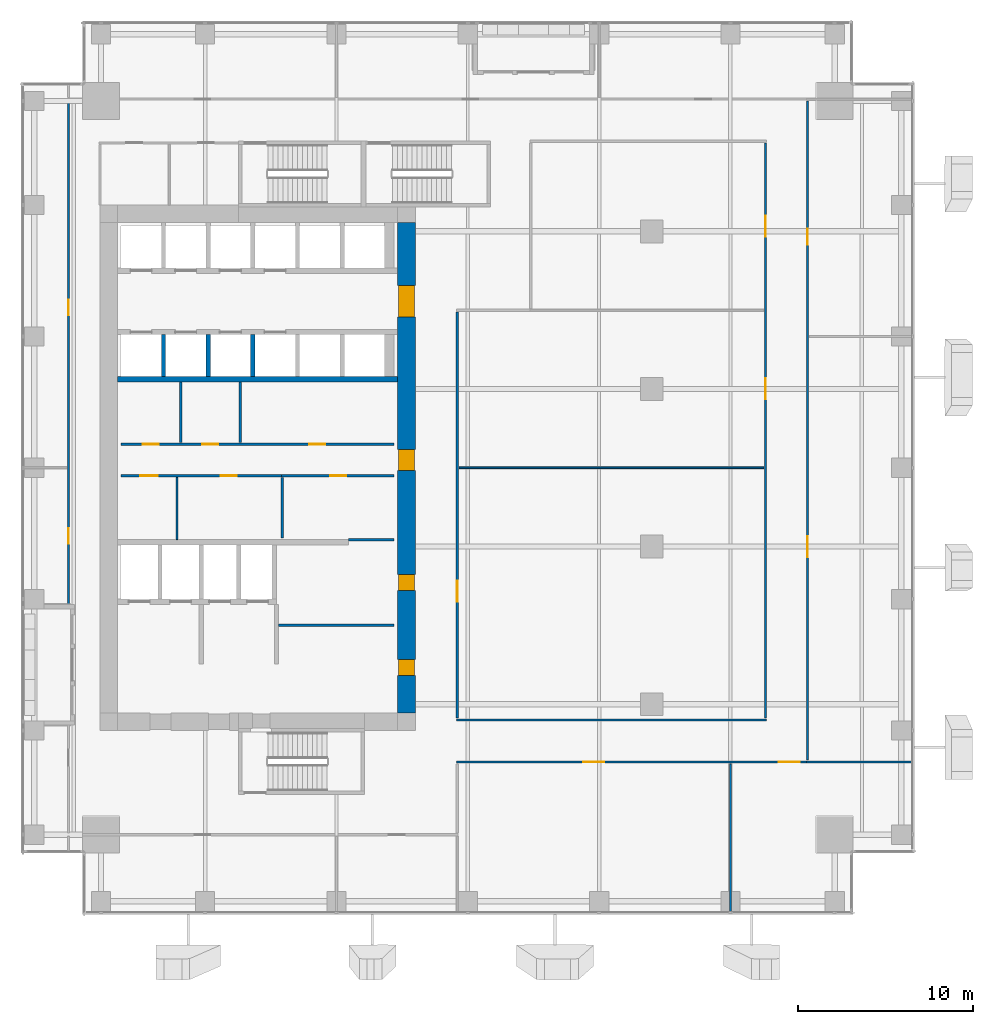
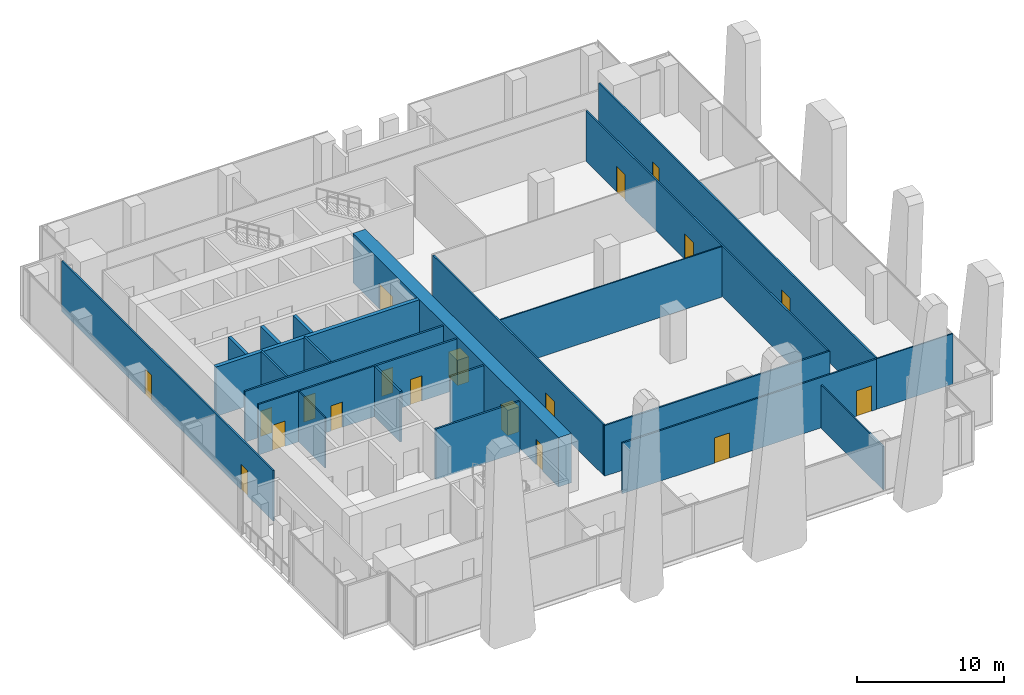
# One storey, part 29 of 35: 23 walls, 19 doors, 19 openings.
"""IFC4 building model written with IfcOpenShell, lengths in metres."""

from ifc_helpers import new_model, si_unit, direction, frame, frame_2d, origin, place, context, subcontext, project, spatial, rectangle, extrude, source, transform, mapped, material, layer, layer_set, type_object, element, fill, save


model = new_model("IFC4")

# Units and contexts
model_context = context("Model", 3, precision=1e-05, world=origin(), true_north=direction((0.0, 1.0)))
body_context = subcontext(model_context, "Body", "Model", "MODEL_VIEW")
ifc_project = project(units=[si_unit("LENGTHUNIT", "METRE"), si_unit("AREAUNIT", "SQUARE_METRE"), si_unit("VOLUMEUNIT", "CUBIC_METRE"), si_unit("PLANEANGLEUNIT", "RADIAN"), si_unit("MASSUNIT", "GRAM", prefix="KILO")], contexts=[model_context])

# Site, building, storey
site_placement = place(None, origin())
site = spatial("IfcSite", under=ifc_project, at=site_placement, CompositionType="ELEMENT")
building_placement = place(site_placement, origin())
building = spatial("IfcBuilding", under=site, at=building_placement, Name="Khomas Fold Tower", CompositionType="ELEMENT")
storey_placement = place(building_placement, frame((0.0, 0.0, 119.10009765625)))
storey = spatial("IfcBuildingStorey", under=building, at=storey_placement, Name="L25", CompositionType="ELEMENT", Elevation=119.10009765625)

# Wall, openings, doors
ifc_material_1 = material(Name="Concrete C70/85", Category="concrete")
ifc_layer_1 = layer(ifc_material_1, 1.0)
ifc_layer_set_1 = layer_set([ifc_layer_1], Name="Concrete C70/85")
wall_type_1 = type_object("IfcWallType", Name="Core wall 1000", PredefinedType="SHEAR", material=ifc_layer_set_1)
shared_shape_1 = source(origin(), body_context, "Body", "SweptSolid", [
    extrude(rectangle(XDim=28.0, YDim=1.0, at=frame_2d((14.0, 0.0))), origin(), (0.0, 0.0, 1.0), 4.099853515625),
])
wall_1_placement = place(storey_placement, frame((23.5, 13.0, 0.0), z_axis=(0.0, 0.0, 1.0), x_axis=(0.0, 1.0, 0.0)))
wall_1 = element("IfcWall", 1, at=wall_1_placement, inside=storey, type_object=wall_type_1, Name="Core wall CW-L-E-L21", PredefinedType="SHEAR", context=body_context, shape_type="MappedRepresentation", body=[
    mapped(shared_shape_1, transform((0.0, 0.0, 0.0))),
])
shared_shape_2 = source(origin(), body_context, "Body", "SweptSolid", [
    extrude(rectangle(XDim=1.800048828125, YDim=2.10009765625, at=frame_2d((0.89990234375, 1.050048828125))), frame((0.0, 0.510009765625, 0.0), z_axis=(0.0, -1.0, 0.0), x_axis=(1.0, 0.0, 0.0)), (0.0, 0.0, 1.0), 1.02001953125),
])
opening_1_placement = place(wall_1_placement, frame((22.60009765625, 0.0, 0.0)))
opening_1 = element("IfcOpeningElement", 2, at=opening_1_placement, cuts=wall_1, Name="Opening 0015", PredefinedType="OPENING", context=body_context, shape_type="MappedRepresentation", body=[
    mapped(shared_shape_2, transform((0.0, 0.0, 0.0))),
])
shared_shape_3 = source(origin(), body_context, "Body", "SweptSolid", [
    extrude(rectangle(XDim=1.199951171875, YDim=2.10009765625, at=frame_2d((0.60009765625, 1.050048828125))), frame((0.0, 0.510009765625, 0.0), z_axis=(0.0, -1.0, 0.0), x_axis=(1.0, 0.0, 0.0)), (0.0, 0.0, 1.0), 1.02001953125),
])
opening_2_placement = place(wall_1_placement, frame((13.85009765625, 0.0, 0.0)))
opening_2 = element("IfcOpeningElement", 3, at=opening_2_placement, cuts=wall_1, Name="Opening 0001", PredefinedType="OPENING", context=body_context, shape_type="MappedRepresentation", body=[
    mapped(shared_shape_3, transform((0.0, 0.0, 0.0))),
])
shared_shape_4 = source(origin(), body_context, "Body", "SweptSolid", [
    extrude(rectangle(XDim=0.89990234375, YDim=2.10009765625, at=frame_2d((0.449951171875, 1.050048828125))), frame((0.0, 0.510009765625, 0.0), z_axis=(0.0, -1.0, 0.0), x_axis=(1.0, 0.0, 0.0)), (0.0, 0.0, 1.0), 1.02001953125),
])
opening_3_placement = place(wall_1_placement, frame((2.14990234375, 0.0, 0.0)))
opening_3 = element("IfcOpeningElement", 4, at=opening_3_placement, cuts=wall_1, Name="Opening 0003", PredefinedType="OPENING", context=body_context, shape_type="MappedRepresentation", body=[
    mapped(shared_shape_4, transform((0.0, 0.0, 0.0))),
])
opening_4_placement = place(wall_1_placement, frame((7.0, 0.0, 0.0)))
opening_4 = element("IfcOpeningElement", 5, at=opening_4_placement, cuts=wall_1, Name="Opening 0003", PredefinedType="OPENING", context=body_context, shape_type="MappedRepresentation", body=[
    mapped(shared_shape_4, transform((0.0, 0.0, 0.0))),
])
ifc_material_2 = material(Name="Steel door leaf", Category="steel")
door_type_1 = type_object("IfcDoorType", Name="Lobby door 1800x2100", OperationType="DOUBLE_DOOR_SINGLE_SWING", PredefinedType="DOOR", material=ifc_material_2)
shared_shape_5 = source(origin(), body_context, "Body", "SweptSolid", [
    extrude(rectangle(XDim=1.800048828125, YDim=2.10009765625, at=frame_2d((0.89990234375, 1.050048828125))), frame((0.0, 0.449951171875, 0.0), z_axis=(0.0, -1.0, 0.0), x_axis=(1.0, 0.0, 0.0)), (0.0, 0.0, 1.0), 0.89990234375),
])
door_1_placement = place(opening_1_placement, origin())
door_1 = element("IfcDoor", 6, at=door_1_placement, inside=storey, type_object=door_type_1, Name="Lobby door", OperationType="DOUBLE_DOOR_SINGLE_SWING", OverallHeight=2.10009765625, OverallWidth=1.800048828125, PredefinedType="DOOR", context=body_context, shape_type="MappedRepresentation", body=[
    mapped(shared_shape_5, transform((0.0, 0.0, 0.0))),
])
fill(opening_1, door_1)
ifc_material_3 = material(Name="Timber door leaf", Category="wood")
door_type_2 = type_object("IfcDoorType", Name="Door 1200x2100 right-hand", OperationType="SINGLE_SWING_RIGHT", PredefinedType="DOOR", material=ifc_material_3)
shared_shape_6 = source(origin(), body_context, "Body", "SweptSolid", [
    extrude(rectangle(XDim=1.199951171875, YDim=2.10009765625, at=frame_2d((0.60009765625, 1.050048828125))), frame((0.0, 0.449951171875, 0.0), z_axis=(0.0, -1.0, 0.0), x_axis=(1.0, 0.0, 0.0)), (0.0, 0.0, 1.0), 0.89990234375),
])
door_2_placement = place(opening_2_placement, origin())
door_2 = element("IfcDoor", 7, at=door_2_placement, inside=storey, type_object=door_type_2, Name="Door", OperationType="SINGLE_SWING_RIGHT", OverallHeight=2.10009765625, OverallWidth=1.199951171875, PredefinedType="DOOR", context=body_context, shape_type="MappedRepresentation", body=[
    mapped(shared_shape_6, transform((0.0, 0.0, 0.0))),
])
fill(opening_2, door_2)
ifc_material_4 = material(Name="Steel door leaf", Category="steel")
door_type_3 = type_object("IfcDoorType", Name="Plant room door 900x2100 right-hand", OperationType="SINGLE_SWING_RIGHT", PredefinedType="DOOR", material=ifc_material_4)
shared_shape_7 = source(origin(), body_context, "Body", "SweptSolid", [
    extrude(rectangle(XDim=0.89990234375, YDim=2.10009765625, at=frame_2d((0.449951171875, 1.050048828125))), frame((0.0, 0.449951171875, 0.0), z_axis=(0.0, -1.0, 0.0), x_axis=(1.0, 0.0, 0.0)), (0.0, 0.0, 1.0), 0.89990234375),
])
door_3_placement = place(opening_3_placement, origin())
door_3 = element("IfcDoor", 8, at=door_3_placement, inside=storey, type_object=door_type_3, Name="Plant room door", OperationType="SINGLE_SWING_RIGHT", OverallHeight=2.10009765625, OverallWidth=0.89990234375, PredefinedType="DOOR", context=body_context, shape_type="MappedRepresentation", body=[
    mapped(shared_shape_7, transform((0.0, 0.0, 0.0))),
])
fill(opening_3, door_3)
door_4_placement = place(opening_4_placement, origin())
door_4 = element("IfcDoor", 9, at=door_4_placement, inside=storey, type_object=door_type_3, Name="Plant room door", OperationType="SINGLE_SWING_RIGHT", OverallHeight=2.10009765625, OverallWidth=0.89990234375, PredefinedType="DOOR", context=body_context, shape_type="MappedRepresentation", body=[
    mapped(shared_shape_7, transform((0.0, 0.0, 0.0))),
])
fill(opening_4, door_4)

# Walls
ifc_material_5 = material(Name="Concrete C50/60", Category="concrete")
ifc_layer_2 = layer(ifc_material_5, 0.300048828125)
ifc_layer_set_2 = layer_set([ifc_layer_2], Name="Concrete C50/60")
wall_type_2 = type_object("IfcWallType", Name="Shaft wall 300", PredefinedType="STANDARD", material=ifc_layer_set_2)
shared_shape_8 = source(origin(), body_context, "Body", "SweptSolid", [
    extrude(rectangle(XDim=16.0, YDim=0.300048828125, at=frame_2d((8.0, 0.0))), origin(), (0.0, 0.0, 1.0), 4.099853515625),
])
wall_2_placement = place(storey_placement, frame((7.0, 32.050048828125, 0.0), z_axis=(0.0, 0.0, 1.0), x_axis=(1.0, 0.0, 0.0)))
element("IfcWall", 10, at=wall_2_placement, inside=storey, type_object=wall_type_2, Name="Core wall SW-HRN-B", PredefinedType="STANDARD", context=body_context, shape_type="MappedRepresentation", body=[
    mapped(shared_shape_8, transform((0.0, 0.0, 0.0))),
])
ifc_material_6 = material(Name="Concrete C50/60", Category="concrete")
ifc_layer_3 = layer(ifc_material_6, 0.25)
ifc_layer_set_3 = layer_set([ifc_layer_3], Name="Concrete C50/60")
wall_type_3 = type_object("IfcWallType", Name="Shaft wall 250", PredefinedType="STANDARD", material=ifc_layer_set_3)
shared_shape_9 = source(origin(), body_context, "Body", "SweptSolid", [
    extrude(rectangle(XDim=2.400146484375, YDim=0.25, at=frame_2d((1.2001953125, 0.0))), origin(), (0.0, 0.0, 1.0), 4.099853515625),
])
for number, where, z_axis, x_axis, name in (
    (11, (9.625, 32.199951171875, 0.0), (0.0, 0.0, 1.0), (0.0, 1.0, 0.0), "Core wall SW-LRS-P1"),
    (12, (12.175048828125, 32.199951171875, 0.0), (0.0, 0.0, 1.0), (0.0, 1.0, 0.0), "Core wall SW-LRS-P2"),
    (13, (14.72509765625, 32.199951171875, 0.0), (0.0, 0.0, 1.0), (0.0, 1.0, 0.0), "Core wall SW-LRS-P3"),
):
    element("IfcWall", number, at=place(storey_placement, frame(where, z_axis=z_axis, x_axis=x_axis)), inside=storey, type_object=wall_type_3, Name=name, PredefinedType="STANDARD", context=body_context, shape_type="MappedRepresentation", body=[
        mapped(shared_shape_9, transform((0.0, 0.0, 0.0))),
    ])

# Wall, openings, doors
ifc_material_7 = material(Name="Plasterboard fire partition")
ifc_layer_4 = layer(ifc_material_7, 0.14990234375)
ifc_layer_set_4 = layer_set([ifc_layer_4], Name="Plasterboard fire partition")
wall_type_4 = type_object("IfcWallType", Name="Plant room wall PW3 150", PredefinedType="PARTITIONING", material=ifc_layer_set_4)
shared_shape_10 = source(origin(), body_context, "Body", "SweptSolid", [
    extrude(rectangle(XDim=15.60009765625, YDim=0.14990234375, at=frame_2d((7.800048828125, 0.0))), origin(), (0.0, 0.0, 1.0), 4.199951171875),
])
wall_3_placement = place(storey_placement, frame((7.199951171875, 28.35009765625, 0.0), z_axis=(0.0, 0.0, 1.0), x_axis=(1.0, 0.0, 0.0)))
wall_3 = element("IfcWall", 14, at=wall_3_placement, inside=storey, type_object=wall_type_4, Name="Plant room wall", PredefinedType="PARTITIONING", context=body_context, shape_type="MappedRepresentation", body=[
    mapped(shared_shape_10, transform((0.0, 0.0, 0.0))),
])
shared_shape_11 = source(origin(), body_context, "Body", "SweptSolid", [
    extrude(rectangle(XDim=0.89990234375, YDim=2.10009765625, at=frame_2d((0.449951171875, 1.050048828125))), frame((0.0, 0.0849609375, 0.0), z_axis=(0.0, -1.0, 0.0), x_axis=(1.0, 0.0, 0.0)), (0.0, 0.0, 1.0), 0.169921875),
])
opening_5_placement = place(wall_3_placement, frame((1.25, 0.0, 0.0)))
opening_5 = element("IfcOpeningElement", 15, at=opening_5_placement, cuts=wall_3, Name="Opening 0003", PredefinedType="OPENING", context=body_context, shape_type="MappedRepresentation", body=[
    mapped(shared_shape_11, transform((0.0, 0.0, 0.0))),
])
opening_6_placement = place(wall_3_placement, frame((4.64990234375, 0.0, 0.0)))
opening_6 = element("IfcOpeningElement", 16, at=opening_6_placement, cuts=wall_3, Name="Opening 0002", PredefinedType="OPENING", context=body_context, shape_type="MappedRepresentation", body=[
    mapped(shared_shape_11, transform((0.0, 0.0, 0.0))),
])
opening_7_placement = place(wall_3_placement, frame((10.75, 0.0, 0.0)))
opening_7 = element("IfcOpeningElement", 17, at=opening_7_placement, cuts=wall_3, Name="Opening 0003", PredefinedType="OPENING", context=body_context, shape_type="MappedRepresentation", body=[
    mapped(shared_shape_11, transform((0.0, 0.0, 0.0))),
])
shared_shape_12 = source(origin(), body_context, "Body", "SweptSolid", [
    extrude(rectangle(XDim=0.89990234375, YDim=2.10009765625, at=frame_2d((0.449951171875, 1.050048828125))), frame((0.0, 0.02490234375, 0.0), z_axis=(0.0, -1.0, 0.0), x_axis=(1.0, 0.0, 0.0)), (0.0, 0.0, 1.0), 0.050048828125),
])
door_5_placement = place(opening_5_placement, origin())
door_5 = element("IfcDoor", 18, at=door_5_placement, inside=storey, type_object=door_type_3, Name="Plant room door", OperationType="SINGLE_SWING_RIGHT", OverallHeight=2.10009765625, OverallWidth=0.89990234375, PredefinedType="DOOR", context=body_context, shape_type="MappedRepresentation", body=[
    mapped(shared_shape_12, transform((0.0, 0.0, 0.0))),
])
fill(opening_5, door_5)
ifc_material_8 = material(Name="Steel door leaf", Category="steel")
door_type_4 = type_object("IfcDoorType", Name="Plant room door 900x2100 left-hand", OperationType="SINGLE_SWING_LEFT", PredefinedType="DOOR", material=ifc_material_8)
door_6_placement = place(opening_6_placement, origin())
door_6 = element("IfcDoor", 19, at=door_6_placement, inside=storey, type_object=door_type_4, Name="Plant room door", OperationType="SINGLE_SWING_LEFT", OverallHeight=2.10009765625, OverallWidth=0.89990234375, PredefinedType="DOOR", context=body_context, shape_type="MappedRepresentation", body=[
    mapped(shared_shape_12, transform((0.0, 0.0, 0.0))),
])
fill(opening_6, door_6)
door_7_placement = place(opening_7_placement, origin())
door_7 = element("IfcDoor", 20, at=door_7_placement, inside=storey, type_object=door_type_3, Name="Plant room door", OperationType="SINGLE_SWING_RIGHT", OverallHeight=2.10009765625, OverallWidth=0.89990234375, PredefinedType="DOOR", context=body_context, shape_type="MappedRepresentation", body=[
    mapped(shared_shape_12, transform((0.0, 0.0, 0.0))),
])
fill(opening_7, door_7)

ifc_material_9 = material(Name="Plasterboard partition")
ifc_layer_5 = layer(ifc_material_9, 0.125)
ifc_layer_set_5 = layer_set([ifc_layer_5], Name="Plasterboard partition")
wall_type_5 = type_object("IfcWallType", Name="Partition PW2 125", PredefinedType="PARTITIONING", material=ifc_layer_set_5)
shared_shape_13 = source(origin(), body_context, "Body", "SweptSolid", [
    extrude(rectangle(XDim=20.0, YDim=0.125, at=frame_2d((10.0, 0.0))), origin(), (0.0, 0.0, 1.0), 4.199951171875),
])
wall_4_placement = place(storey_placement, frame((26.35009765625, 10.199951171875, 0.0), z_axis=(0.0, 0.0, 1.0), x_axis=(1.0, 0.0, 0.0)))
wall_4 = element("IfcWall", 21, at=wall_4_placement, inside=storey, type_object=wall_type_5, Name="Partition", PredefinedType="PARTITIONING", context=body_context, shape_type="MappedRepresentation", body=[
    mapped(shared_shape_13, transform((0.0, 0.0, 0.0))),
])
shared_shape_14 = source(origin(), body_context, "Body", "SweptSolid", [
    extrude(rectangle(XDim=1.199951171875, YDim=2.10009765625, at=frame_2d((0.60009765625, 1.050048828125))), frame((0.0, 0.072509765625, 0.0), z_axis=(0.0, -1.0, 0.0), x_axis=(1.0, 0.0, 0.0)), (0.0, 0.0, 1.0), 0.14501953125),
])
opening_8_placement = place(wall_4_placement, frame((7.25, 0.0, 0.0)))
opening_8 = element("IfcOpeningElement", 22, at=opening_8_placement, cuts=wall_4, Name="Opening 0001", PredefinedType="OPENING", context=body_context, shape_type="MappedRepresentation", body=[
    mapped(shared_shape_14, transform((0.0, 0.0, 0.0))),
])
opening_9_placement = place(wall_4_placement, frame((18.39990234375, 0.0, 0.0)))
opening_9 = element("IfcOpeningElement", 23, at=opening_9_placement, cuts=wall_4, Name="Opening 0001", PredefinedType="OPENING", context=body_context, shape_type="MappedRepresentation", body=[
    mapped(shared_shape_14, transform((0.0, 0.0, 0.0))),
])
shared_shape_15 = source(origin(), body_context, "Body", "SweptSolid", [
    extrude(rectangle(XDim=1.199951171875, YDim=2.10009765625, at=frame_2d((0.60009765625, 1.050048828125))), frame((0.0, 0.02490234375, 0.0), z_axis=(0.0, -1.0, 0.0), x_axis=(1.0, 0.0, 0.0)), (0.0, 0.0, 1.0), 0.050048828125),
])
door_8_placement = place(opening_8_placement, origin())
door_8 = element("IfcDoor", 24, at=door_8_placement, inside=storey, type_object=door_type_2, Name="Door", OperationType="SINGLE_SWING_RIGHT", OverallHeight=2.10009765625, OverallWidth=1.199951171875, PredefinedType="DOOR", context=body_context, shape_type="MappedRepresentation", body=[
    mapped(shared_shape_15, transform((0.0, 0.0, 0.0))),
])
fill(opening_8, door_8)
door_9_placement = place(opening_9_placement, origin())
door_9 = element("IfcDoor", 25, at=door_9_placement, inside=storey, type_object=door_type_2, Name="Door", OperationType="SINGLE_SWING_RIGHT", OverallHeight=2.10009765625, OverallWidth=1.199951171875, PredefinedType="DOOR", context=body_context, shape_type="MappedRepresentation", body=[
    mapped(shared_shape_15, transform((0.0, 0.0, 0.0))),
])
fill(opening_9, door_9)

# Wall
ifc_material_10 = material(Name="Plasterboard partition")
ifc_layer_6 = layer(ifc_material_10, 0.10009765625)
ifc_layer_set_6 = layer_set([ifc_layer_6], Name="Plasterboard partition")
wall_type_6 = type_object("IfcWallType", Name="Partition PW1 100", PredefinedType="PARTITIONING", material=ifc_layer_set_6)
shared_shape_16 = source(origin(), body_context, "Body", "SweptSolid", [
    extrude(rectangle(XDim=6.0, YDim=0.10009765625, at=frame_2d((3.0, 0.0))), origin(), (0.0, 0.0, 1.0), 4.199951171875),
])
wall_5_placement = place(storey_placement, frame((46.35009765625, 10.199951171875, 0.0), z_axis=(0.0, 0.0, 1.0), x_axis=(1.0, 0.0, 0.0)))
element("IfcWall", 26, at=wall_5_placement, inside=storey, type_object=wall_type_6, Name="Partition", PredefinedType="PARTITIONING", context=body_context, shape_type="MappedRepresentation", body=[
    mapped(shared_shape_16, transform((0.0, 0.0, 0.0))),
])

# Wall, openings, doors
shared_shape_17 = source(origin(), body_context, "Body", "SweptSolid", [
    extrude(rectangle(XDim=37.64990234375, YDim=0.125, at=frame_2d((18.824951171875, 0.0))), origin(), (0.0, 0.0, 1.0), 4.199951171875),
])
wall_6_placement = place(storey_placement, frame((46.39990234375, 10.300048828125, 0.0), z_axis=(0.0, 0.0, 1.0), x_axis=(0.0, 1.0, 0.0)))
wall_6 = element("IfcWall", 27, at=wall_6_placement, inside=storey, type_object=wall_type_5, Name="Partition", PredefinedType="PARTITIONING", context=body_context, shape_type="MappedRepresentation", body=[
    mapped(shared_shape_17, transform((0.0, 0.0, 0.0))),
])
opening_10_placement = place(wall_6_placement, frame((11.60009765625, 0.0, 0.0)))
opening_10 = element("IfcOpeningElement", 28, at=opening_10_placement, cuts=wall_6, Name="Opening 0001", PredefinedType="OPENING", context=body_context, shape_type="MappedRepresentation", body=[
    mapped(shared_shape_14, transform((0.0, 0.0, 0.0))),
])
shared_shape_18 = source(origin(), body_context, "Body", "SweptSolid", [
    extrude(rectangle(XDim=0.89990234375, YDim=2.10009765625, at=frame_2d((0.449951171875, 1.050048828125))), frame((0.0, 0.072509765625, 0.0), z_axis=(0.0, -1.0, 0.0), x_axis=(1.0, 0.0, 0.0)), (0.0, 0.0, 1.0), 0.14501953125),
])
opening_11_placement = place(wall_6_placement, frame((29.449951171875, 0.0, 0.0)))
opening_11 = element("IfcOpeningElement", 29, at=opening_11_placement, cuts=wall_6, Name="Opening 0008", PredefinedType="OPENING", context=body_context, shape_type="MappedRepresentation", body=[
    mapped(shared_shape_18, transform((0.0, 0.0, 0.0))),
])
ifc_material_11 = material(Name="Timber door leaf", Category="wood")
door_type_5 = type_object("IfcDoorType", Name="Door 900x2100 right-hand", OperationType="SINGLE_SWING_RIGHT", PredefinedType="DOOR", material=ifc_material_11)
door_10_placement = place(opening_11_placement, origin())
door_10 = element("IfcDoor", 30, at=door_10_placement, inside=storey, type_object=door_type_5, Name="Door", OperationType="SINGLE_SWING_RIGHT", OverallHeight=2.10009765625, OverallWidth=0.89990234375, PredefinedType="DOOR", context=body_context, shape_type="MappedRepresentation", body=[
    mapped(shared_shape_12, transform((0.0, 0.0, 0.0))),
])
fill(opening_11, door_10)
door_11_placement = place(opening_10_placement, origin())
door_11 = element("IfcDoor", 31, at=door_11_placement, inside=storey, type_object=door_type_2, Name="Door", OperationType="SINGLE_SWING_RIGHT", OverallHeight=2.10009765625, OverallWidth=1.199951171875, PredefinedType="DOOR", context=body_context, shape_type="MappedRepresentation", body=[
    mapped(shared_shape_15, transform((0.0, 0.0, 0.0))),
])
fill(opening_10, door_11)

# Wall
shared_shape_19 = source(origin(), body_context, "Body", "SweptSolid", [
    extrude(rectangle(XDim=17.699951171875, YDim=0.125, at=frame_2d((8.85009765625, 0.0))), origin(), (0.0, 0.0, 1.0), 4.199951171875),
])
wall_7_placement = place(storey_placement, frame((26.35009765625, 12.60009765625, 0.0), z_axis=(0.0, 0.0, 1.0), x_axis=(1.0, 0.0, 0.0)))
element("IfcWall", 32, at=wall_7_placement, inside=storey, type_object=wall_type_5, Name="Partition", PredefinedType="PARTITIONING", context=body_context, shape_type="MappedRepresentation", body=[
    mapped(shared_shape_19, transform((0.0, 0.0, 0.0))),
])

# Wall, opening, door
shared_shape_20 = source(origin(), body_context, "Body", "SweptSolid", [
    extrude(rectangle(XDim=23.199951171875, YDim=0.125, at=frame_2d((11.60009765625, 0.0))), origin(), (0.0, 0.0, 1.0), 4.199951171875),
])
wall_8_placement = place(storey_placement, frame((26.39990234375, 12.699951171875, 0.0), z_axis=(0.0, 0.0, 1.0), x_axis=(0.0, 1.0, 0.0)))
wall_8 = element("IfcWall", 33, at=wall_8_placement, inside=storey, type_object=wall_type_5, Name="Partition", PredefinedType="PARTITIONING", context=body_context, shape_type="MappedRepresentation", body=[
    mapped(shared_shape_20, transform((0.0, 0.0, 0.0))),
])
opening_12_placement = place(wall_8_placement, frame((6.64990234375, 0.0, 0.0)))
opening_12 = element("IfcOpeningElement", 34, at=opening_12_placement, cuts=wall_8, Name="Opening 0001", PredefinedType="OPENING", context=body_context, shape_type="MappedRepresentation", body=[
    mapped(shared_shape_14, transform((0.0, 0.0, 0.0))),
])
door_12_placement = place(opening_12_placement, origin())
door_12 = element("IfcDoor", 35, at=door_12_placement, inside=storey, type_object=door_type_2, Name="Door", OperationType="SINGLE_SWING_RIGHT", OverallHeight=2.10009765625, OverallWidth=1.199951171875, PredefinedType="DOOR", context=body_context, shape_type="MappedRepresentation", body=[
    mapped(shared_shape_15, transform((0.0, 0.0, 0.0))),
])
fill(opening_12, door_12)

# Wall, openings, doors
shared_shape_21 = source(origin(), body_context, "Body", "SweptSolid", [
    extrude(rectangle(XDim=32.85009765625, YDim=0.125, at=frame_2d((16.425048828125, 0.0))), origin(), (0.0, 0.0, 1.0), 4.199951171875),
])
wall_9_placement = place(storey_placement, frame((44.0, 12.699951171875, 0.0), z_axis=(0.0, 0.0, 1.0), x_axis=(0.0, 1.0, 0.0)))
wall_9 = element("IfcWall", 36, at=wall_9_placement, inside=storey, type_object=wall_type_5, Name="Partition", PredefinedType="PARTITIONING", context=body_context, shape_type="MappedRepresentation", body=[
    mapped(shared_shape_21, transform((0.0, 0.0, 0.0))),
])
opening_13_placement = place(wall_9_placement, frame((18.199951171875, 0.0, 0.0)))
opening_13 = element("IfcOpeningElement", 37, at=opening_13_placement, cuts=wall_9, Name="Opening 0013", PredefinedType="OPENING", context=body_context, shape_type="MappedRepresentation", body=[
    mapped(shared_shape_14, transform((0.0, 0.0, 0.0))),
])
opening_14_placement = place(wall_9_placement, frame((27.5, 0.0, 0.0)))
opening_14 = element("IfcOpeningElement", 38, at=opening_14_placement, cuts=wall_9, Name="Opening 0001", PredefinedType="OPENING", context=body_context, shape_type="MappedRepresentation", body=[
    mapped(shared_shape_14, transform((0.0, 0.0, 0.0))),
])
ifc_material_12 = material(Name="Timber door leaf", Category="wood")
door_type_6 = type_object("IfcDoorType", Name="Door 1200x2100 left-hand", OperationType="SINGLE_SWING_LEFT", PredefinedType="DOOR", material=ifc_material_12)
door_13_placement = place(opening_13_placement, origin())
door_13 = element("IfcDoor", 39, at=door_13_placement, inside=storey, type_object=door_type_6, Name="Door", OperationType="SINGLE_SWING_LEFT", OverallHeight=2.10009765625, OverallWidth=1.199951171875, PredefinedType="DOOR", context=body_context, shape_type="MappedRepresentation", body=[
    mapped(shared_shape_15, transform((0.0, 0.0, 0.0))),
])
fill(opening_13, door_13)
door_14_placement = place(opening_14_placement, origin())
door_14 = element("IfcDoor", 40, at=door_14_placement, inside=storey, type_object=door_type_2, Name="Door", OperationType="SINGLE_SWING_RIGHT", OverallHeight=2.10009765625, OverallWidth=1.199951171875, PredefinedType="DOOR", context=body_context, shape_type="MappedRepresentation", body=[
    mapped(shared_shape_15, transform((0.0, 0.0, 0.0))),
])
fill(opening_14, door_14)

# Walls
shared_shape_22 = source(origin(), body_context, "Body", "SweptSolid", [
    extrude(rectangle(XDim=6.60009765625, YDim=0.14990234375, at=frame_2d((3.300048828125, 0.0))), origin(), (0.0, 0.0, 1.0), 4.199951171875),
])
wall_10_placement = place(storey_placement, frame((16.199951171875, 18.0, 0.0), z_axis=(0.0, 0.0, 1.0), x_axis=(1.0, 0.0, 0.0)))
element("IfcWall", 41, at=wall_10_placement, inside=storey, type_object=wall_type_4, Name="Plant room wall", PredefinedType="PARTITIONING", context=body_context, shape_type="MappedRepresentation", body=[
    mapped(shared_shape_22, transform((0.0, 0.0, 0.0))),
])
shared_shape_23 = source(origin(), body_context, "Body", "SweptSolid", [
    extrude(rectangle(XDim=17.39990234375, YDim=0.10009765625, at=frame_2d((8.699951171875, 0.0))), origin(), (0.0, 0.0, 1.0), 4.199951171875),
])
wall_11_placement = place(storey_placement, frame((26.5, 27.0, 0.0), z_axis=(0.0, 0.0, 1.0), x_axis=(1.0, 0.0, 0.0)))
element("IfcWall", 42, at=wall_11_placement, inside=storey, type_object=wall_type_6, Name="Partition", PredefinedType="PARTITIONING", context=body_context, shape_type="MappedRepresentation", body=[
    mapped(shared_shape_23, transform((0.0, 0.0, 0.0))),
])
shared_shape_24 = source(origin(), body_context, "Body", "SweptSolid", [
    extrude(rectangle(XDim=2.60009765625, YDim=0.14990234375, at=frame_2d((1.300048828125, 0.0))), origin(), (0.0, 0.0, 1.0), 4.199951171875),
])
wall_12_placement = place(storey_placement, frame((20.199951171875, 22.89990234375, 0.0), z_axis=(0.0, 0.0, 1.0), x_axis=(1.0, 0.0, 0.0)))
element("IfcWall", 43, at=wall_12_placement, inside=storey, type_object=wall_type_4, Name="Plant room wall", PredefinedType="PARTITIONING", context=body_context, shape_type="MappedRepresentation", body=[
    mapped(shared_shape_24, transform((0.0, 0.0, 0.0))),
])
shared_shape_25 = source(origin(), body_context, "Body", "SweptSolid", [
    extrude(rectangle(XDim=8.4501953125, YDim=0.10009765625, at=frame_2d((4.22509765625, 0.0))), origin(), (0.0, 0.0, 1.0), 3.599853515625),
])
wall_13_placement = place(storey_placement, frame((42.0, 1.64990234375, 0.0), z_axis=(0.0, 0.0, 1.0), x_axis=(0.0, 1.0, 0.0)))
element("IfcWall", 44, at=wall_13_placement, inside=storey, type_object=wall_type_6, Name="Partition", PredefinedType="PARTITIONING", context=body_context, shape_type="MappedRepresentation", body=[
    mapped(shared_shape_25, transform((0.0, 0.0, 0.0))),
])

# Wall, openings, doors
shared_shape_26 = source(origin(), body_context, "Body", "SweptSolid", [
    extrude(rectangle(XDim=28.75, YDim=0.125, at=frame_2d((14.375, 0.0))), origin(), (0.0, 0.0, 1.0), 4.199951171875),
])
wall_14_placement = place(storey_placement, frame((4.199951171875, 19.199951171875, 0.0), z_axis=(0.0, 0.0, 1.0), x_axis=(0.0, 1.0, 0.0)))
wall_14 = element("IfcWall", 45, at=wall_14_placement, inside=storey, type_object=wall_type_5, Name="Partition", PredefinedType="PARTITIONING", context=body_context, shape_type="MappedRepresentation", body=[
    mapped(shared_shape_26, transform((0.0, 0.0, 0.0))),
])
opening_15_placement = place(wall_14_placement, frame((3.449951171875, 0.0, 0.0)))
opening_15 = element("IfcOpeningElement", 46, at=opening_15_placement, cuts=wall_14, Name="Opening 0007", PredefinedType="OPENING", context=body_context, shape_type="MappedRepresentation", body=[
    mapped(shared_shape_18, transform((0.0, 0.0, 0.0))),
])
opening_16_placement = place(wall_14_placement, frame((16.5, 0.0, 0.0)))
opening_16 = element("IfcOpeningElement", 47, at=opening_16_placement, cuts=wall_14, Name="Opening 0008", PredefinedType="OPENING", context=body_context, shape_type="MappedRepresentation", body=[
    mapped(shared_shape_18, transform((0.0, 0.0, 0.0))),
])
ifc_material_13 = material(Name="Timber door leaf", Category="wood")
door_type_7 = type_object("IfcDoorType", Name="Door 900x2100 left-hand", OperationType="SINGLE_SWING_LEFT", PredefinedType="DOOR", material=ifc_material_13)
door_15_placement = place(opening_15_placement, origin())
door_15 = element("IfcDoor", 48, at=door_15_placement, inside=storey, type_object=door_type_7, Name="Door", OperationType="SINGLE_SWING_LEFT", OverallHeight=2.10009765625, OverallWidth=0.89990234375, PredefinedType="DOOR", context=body_context, shape_type="MappedRepresentation", body=[
    mapped(shared_shape_12, transform((0.0, 0.0, 0.0))),
])
fill(opening_15, door_15)
door_16_placement = place(opening_16_placement, origin())
door_16 = element("IfcDoor", 49, at=door_16_placement, inside=storey, type_object=door_type_5, Name="Door", OperationType="SINGLE_SWING_RIGHT", OverallHeight=2.10009765625, OverallWidth=0.89990234375, PredefinedType="DOOR", context=body_context, shape_type="MappedRepresentation", body=[
    mapped(shared_shape_12, transform((0.0, 0.0, 0.0))),
])
fill(opening_16, door_16)

# Walls
shared_shape_27 = source(origin(), body_context, "Body", "SweptSolid", [
    extrude(rectangle(XDim=3.550048828125, YDim=0.10009765625, at=frame_2d((1.77490234375, 0.0))), origin(), (0.0, 0.0, 1.0), 4.199951171875),
])
wall_15_placement = place(storey_placement, frame((10.39990234375, 22.89990234375, 0.0), z_axis=(0.0, 0.0, 1.0), x_axis=(0.0, 1.0, 0.0)))
element("IfcWall", 50, at=wall_15_placement, inside=storey, type_object=wall_type_6, Name="Partition", PredefinedType="PARTITIONING", context=body_context, shape_type="MappedRepresentation", body=[
    mapped(shared_shape_27, transform((0.0, 0.0, 0.0))),
])
shared_shape_28 = source(origin(), body_context, "Body", "SweptSolid", [
    extrude(rectangle(XDim=3.449951171875, YDim=0.14990234375, at=frame_2d((1.72509765625, 0.0))), origin(), (0.0, 0.0, 1.0), 4.199951171875),
])
for number, where, z_axis, x_axis, name in (
    (51, (16.39990234375, 23.0, 0.0), (0.0, 0.0, 1.0), (0.0, 1.0, 0.0), "Plant room wall"),
    (52, (10.60009765625, 28.449951171875, 0.0), (0.0, 0.0, 1.0), (0.0, 1.0, 0.0), "Plant room wall"),
    (53, (14.0, 28.449951171875, 0.0), (0.0, 0.0, 1.0), (0.0, 1.0, 0.0), "Plant room wall"),
):
    element("IfcWall", number, at=place(storey_placement, frame(where, z_axis=z_axis, x_axis=x_axis)), inside=storey, type_object=wall_type_4, Name=name, PredefinedType="PARTITIONING", context=body_context, shape_type="MappedRepresentation", body=[
        mapped(shared_shape_28, transform((0.0, 0.0, 0.0))),
    ])

# Wall, openings, doors
shared_shape_29 = source(origin(), body_context, "Body", "SweptSolid", [
    extrude(rectangle(XDim=9.150146484375, YDim=0.125, at=frame_2d((4.5751953125, 0.0))), origin(), (0.0, 0.0, 1.0), 4.199951171875),
])
wall_16_placement = place(storey_placement, frame((7.199951171875, 26.550048828125, 0.0), z_axis=(0.0, 0.0, 1.0), x_axis=(1.0, 0.0, 0.0)))
wall_16 = element("IfcWall", 54, at=wall_16_placement, inside=storey, type_object=wall_type_5, Name="Partition", PredefinedType="PARTITIONING", context=body_context, shape_type="MappedRepresentation", body=[
    mapped(shared_shape_29, transform((0.0, 0.0, 0.0))),
])
shared_shape_30 = source(origin(), body_context, "Body", "SweptSolid", [
    extrude(rectangle(XDim=1.0, YDim=2.10009765625, at=frame_2d((0.5, 1.050048828125))), frame((0.0, 0.072509765625, 0.0), z_axis=(0.0, -1.0, 0.0), x_axis=(1.0, 0.0, 0.0)), (0.0, 0.0, 1.0), 0.14501953125),
])
opening_17_placement = place(wall_16_placement, frame((1.10009765625, 0.0, 0.0)))
opening_17 = element("IfcOpeningElement", 55, at=opening_17_placement, cuts=wall_16, Name="Opening 0006", PredefinedType="OPENING", context=body_context, shape_type="MappedRepresentation", body=[
    mapped(shared_shape_30, transform((0.0, 0.0, 0.0))),
])
opening_18_placement = place(wall_16_placement, frame((5.699951171875, 0.0, 0.0)))
opening_18 = element("IfcOpeningElement", 56, at=opening_18_placement, cuts=wall_16, Name="Opening 0007", PredefinedType="OPENING", context=body_context, shape_type="MappedRepresentation", body=[
    mapped(shared_shape_18, transform((0.0, 0.0, 0.0))),
])
door_17_placement = place(opening_18_placement, origin())
door_17 = element("IfcDoor", 57, at=door_17_placement, inside=storey, type_object=door_type_7, Name="Door", OperationType="SINGLE_SWING_LEFT", OverallHeight=2.10009765625, OverallWidth=0.89990234375, PredefinedType="DOOR", context=body_context, shape_type="MappedRepresentation", body=[
    mapped(shared_shape_12, transform((0.0, 0.0, 0.0))),
])
fill(opening_18, door_17)
ifc_material_14 = material(Name="Timber door leaf", Category="wood")
door_type_8 = type_object("IfcDoorType", Name="WC door 1000x2100 right-hand", OperationType="SINGLE_SWING_RIGHT", PredefinedType="DOOR", material=ifc_material_14)
shared_shape_31 = source(origin(), body_context, "Body", "SweptSolid", [
    extrude(rectangle(XDim=1.0, YDim=2.10009765625, at=frame_2d((0.5, 1.050048828125))), frame((0.0, 0.02490234375, 0.0), z_axis=(0.0, -1.0, 0.0), x_axis=(1.0, 0.0, 0.0)), (0.0, 0.0, 1.0), 0.050048828125),
])
door_18_placement = place(opening_17_placement, origin())
door_18 = element("IfcDoor", 58, at=door_18_placement, inside=storey, type_object=door_type_8, Name="WC door", OperationType="SINGLE_SWING_RIGHT", OverallHeight=2.10009765625, OverallWidth=1.0, PredefinedType="DOOR", context=body_context, shape_type="MappedRepresentation", body=[
    mapped(shared_shape_31, transform((0.0, 0.0, 0.0))),
])
fill(opening_17, door_18)

# Wall, opening, door
shared_shape_32 = source(origin(), body_context, "Body", "SweptSolid", [
    extrude(rectangle(XDim=6.449951171875, YDim=0.14990234375, at=frame_2d((3.22509765625, 0.0))), origin(), (0.0, 0.0, 1.0), 4.199951171875),
])
wall_17_placement = place(storey_placement, frame((16.35009765625, 26.550048828125, 0.0), z_axis=(0.0, 0.0, 1.0), x_axis=(1.0, 0.0, 0.0)))
wall_17 = element("IfcWall", 59, at=wall_17_placement, inside=storey, type_object=wall_type_4, Name="Plant room wall", PredefinedType="PARTITIONING", context=body_context, shape_type="MappedRepresentation", body=[
    mapped(shared_shape_32, transform((0.0, 0.0, 0.0))),
])
opening_19_placement = place(wall_17_placement, frame((2.800048828125, 0.0, 0.0)))
opening_19 = element("IfcOpeningElement", 60, at=opening_19_placement, cuts=wall_17, Name="Opening 0003", PredefinedType="OPENING", context=body_context, shape_type="MappedRepresentation", body=[
    mapped(shared_shape_11, transform((0.0, 0.0, 0.0))),
])
door_19_placement = place(opening_19_placement, origin())
door_19 = element("IfcDoor", 61, at=door_19_placement, inside=storey, type_object=door_type_3, Name="Plant room door", OperationType="SINGLE_SWING_RIGHT", OverallHeight=2.10009765625, OverallWidth=0.89990234375, PredefinedType="DOOR", context=body_context, shape_type="MappedRepresentation", body=[
    mapped(shared_shape_12, transform((0.0, 0.0, 0.0))),
])
fill(opening_19, door_19)

save(model, "model.ifc")
